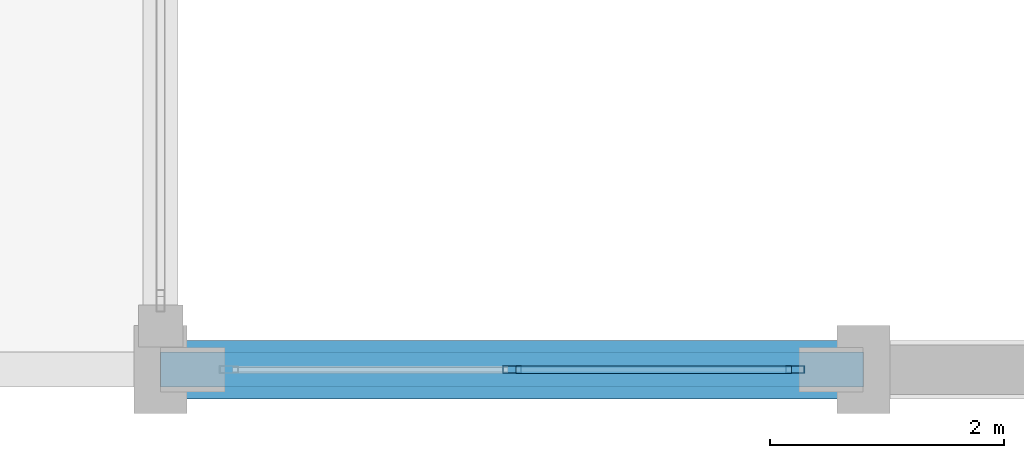
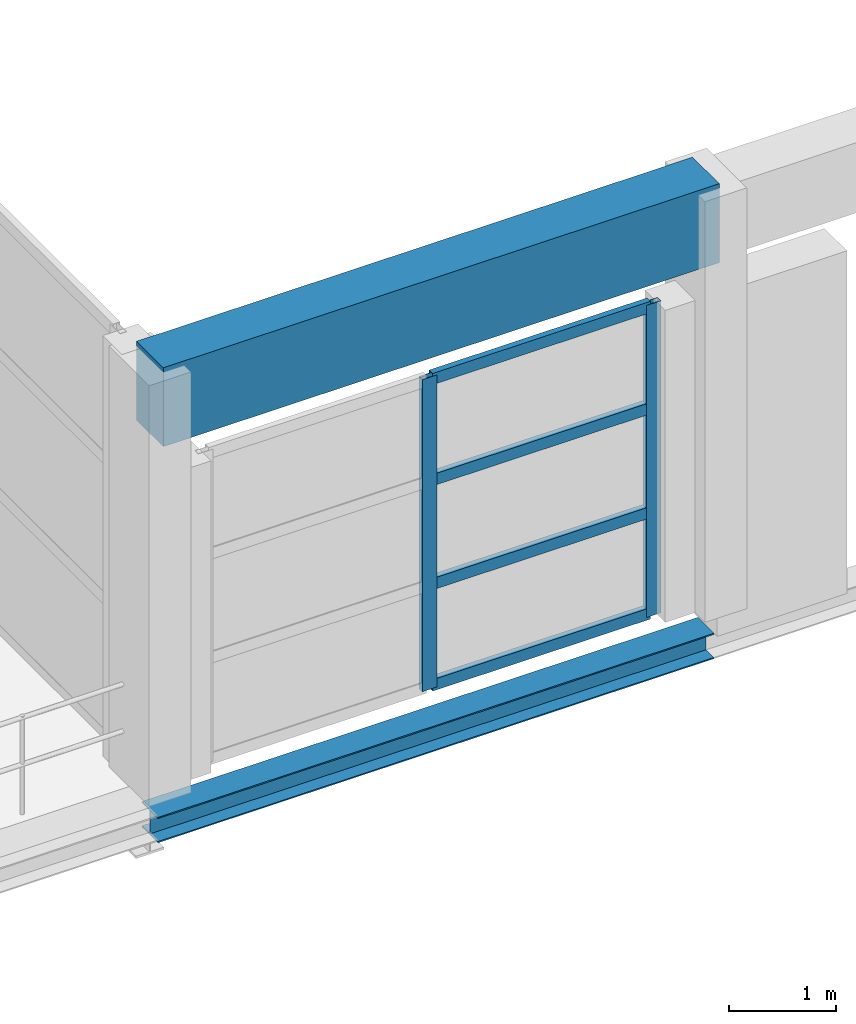
# One storey, part 41 of 147: 6 members, 2 beams, 1 element without a shape of its own.
"""IFC4 building model written with IfcOpenShell, lengths in metres."""

from ifc_helpers import new_model, si_unit, direction, frame, origin, origin_2d, place, context, subcontext, project, spatial, rectangle, hollow_rectangle, i_section, extrude, material, layer, layer_set, material_profile, profile_set, type_object, element, aggregate, save


model = new_model("IFC4")

# Units and contexts
model_context = context("Model", 3, precision=1e-05, world=origin(), true_north=direction((0.0, 1.0)))
body_context = subcontext(model_context, "Body", "Model", "MODEL_VIEW")
ifc_project = project(units=[si_unit("LENGTHUNIT", "METRE"), si_unit("AREAUNIT", "SQUARE_METRE"), si_unit("VOLUMEUNIT", "CUBIC_METRE"), si_unit("PLANEANGLEUNIT", "RADIAN"), si_unit("MASSUNIT", "GRAM", prefix="KILO")], contexts=[model_context])

# Site, building, storey
site_placement = place(None, origin())
site = spatial("IfcSite", under=ifc_project, at=site_placement, CompositionType="ELEMENT")
building_placement = place(site_placement, origin())
building = spatial("IfcBuilding", under=site, at=building_placement, Name="Zilviju Railside Exhibition Hall", CompositionType="ELEMENT")
storey_placement = place(building_placement, frame((0.0, 0.0, 8.39990234375)))
storey = spatial("IfcBuildingStorey", under=building, at=storey_placement, Name="L03", CompositionType="ELEMENT", Elevation=8.39990234375)

# Beams
ifc_material_1 = material(Name="Steel S355J2", Category="steel")
ifc_material_profile_1 = material_profile(ifc_material_1, i_section(OverallWidth=0.300048828125, OverallDepth=0.2900390625, WebThickness=0.008544921875, FlangeThickness=0.013916015625, at=origin_2d()), Name="HEA 300")
ifc_profile_set_1 = profile_set([ifc_material_profile_1], Name="Steel S355J2")
beam_type_1 = type_object("IfcBeamType", Name="BM-HEA300", PredefinedType="SPANDREL", material=ifc_profile_set_1)
beam_1_placement = place(storey_placement, frame((78.0, 0.0, -0.48486328125), z_axis=(1.0, 0.0, 0.0), x_axis=(0.0, 1.0, 0.0)))
element("IfcBeam", 1, at=beam_1_placement, inside=storey, type_object=beam_type_1, Name="Primary Girder L03 Y=0.0 (78.0..84.0)", PredefinedType="SPANDREL", context=body_context, shape_type="SweptSolid", body=[
    extrude(i_section(OverallWidth=0.300048828125, OverallDepth=0.2900390625, WebThickness=0.008544921875, FlangeThickness=0.013916015625, at=origin_2d()), origin(), (0.0, 0.0, 1.0), 6.0),
])
ifc_material_2 = material(Name="Concrete C40/50", Category="concrete")
ifc_material_profile_2 = material_profile(ifc_material_2, rectangle(XDim=0.5, YDim=0.89990234375, at=origin_2d()), Name="RC BEAM 500x900")
ifc_profile_set_2 = profile_set([ifc_material_profile_2], Name="Concrete C40/50")
beam_type_2 = type_object("IfcBeamType", Name="BM-RC-500x900", PredefinedType="BEAM", material=ifc_profile_set_2)
beam_2_placement = place(storey_placement, frame((78.0, 0.0, 4.400146484375), z_axis=(1.0, 0.0, 0.0), x_axis=(0.0, 1.0, 0.0)))
element("IfcBeam", 2, at=beam_2_placement, inside=storey, type_object=beam_type_2, Name="Eave & Portal Spandrel Lintel 002", PredefinedType="BEAM", context=body_context, shape_type="SweptSolid", body=[
    extrude(rectangle(XDim=0.5, YDim=0.89990234375, at=origin_2d()), origin(), (0.0, 0.0, 1.0), 6.0),
])

# Curtain wall, members
ifc_material_3 = material(Name="Thermally broken aluminium-steel triple-glazed curtain wall", Category="steel")
ifc_layer = layer(ifc_material_3, 0.179931640625)
ifc_layer_set = layer_set([ifc_layer], Name="Thermally broken aluminium-steel triple-glazed curtain wall")
curtain_wall_type = type_object("IfcCurtainWallType", Name="CW-BAY-12", PredefinedType="USERDEFINED", material=ifc_layer_set)
curtain_wall_placement = place(storey_placement, origin())
curtain_wall = element("IfcCurtainWall", 3, at=curtain_wall_placement, inside=storey, type_object=curtain_wall_type, Name="South Hall Facade Curtain Wall L03 (78..84)", ObjectType="GLAZED CURTAIN WALL", PredefinedType="USERDEFINED")
ifc_material_4 = material(Name="Thermally broken anodized aluminium mullion", Category="aluminium")
ifc_material_profile_3 = material_profile(ifc_material_4, hollow_rectangle(XDim=0.06494140625, YDim=0.159912109375, WallThickness=0.0048828125, at=origin_2d()), Name="MULLION 160x65x5")
ifc_profile_set_3 = profile_set([ifc_material_profile_3], Name="Thermally broken anodized aluminium mullion")
member_type_1 = type_object("IfcMemberType", Name="CWM-65x160", PredefinedType="MULLION", material=ifc_profile_set_3)
member_1_placement = place(storey_placement, frame((83.41748046875, 0.0, 0.0), z_axis=(0.0, 0.0, 1.0), x_axis=(0.0, -1.0, 0.0)))
member_1 = element("IfcMember", 4, at=member_1_placement, type_object=member_type_1, Name="CW-12 mullion 1", PredefinedType="MULLION", context=body_context, shape_type="SweptSolid", body=[
    extrude(hollow_rectangle(XDim=0.06494140625, YDim=0.159912109375, WallThickness=0.0048828125, at=origin_2d()), origin(), (0.0, 0.0, 1.0), 3.56005859375),
])
member_2_placement = place(storey_placement, frame((81.0, 0.0, 0.0), z_axis=(0.0, 0.0, 1.0), x_axis=(0.0, -1.0, 0.0)))
member_2 = element("IfcMember", 5, at=member_2_placement, type_object=member_type_1, Name="CW-12 mullion 2", PredefinedType="MULLION", context=body_context, shape_type="SweptSolid", body=[
    extrude(hollow_rectangle(XDim=0.06494140625, YDim=0.159912109375, WallThickness=0.0048828125, at=origin_2d()), origin(), (0.0, 0.0, 1.0), 3.56005859375),
])
ifc_material_5 = material(Name="Thermally broken anodized aluminium transom", Category="aluminium")
ifc_material_profile_4 = material_profile(ifc_material_5, hollow_rectangle(XDim=0.06494140625, YDim=0.1298828125, WallThickness=0.0048828125, at=origin_2d()), Name="TRANSOM 130x65x5")
ifc_profile_set_4 = profile_set([ifc_material_profile_4], Name="Thermally broken anodized aluminium transom")
member_type_2 = type_object("IfcMemberType", Name="CWT-65x130", PredefinedType="USERDEFINED", material=ifc_profile_set_4)
member_3_placement = place(storey_placement, frame((83.385009765625, 0.0, 0.03271484375), z_axis=(-1.0, 0.0, 0.0), x_axis=(0.0, -1.0, 0.0)))
member_3 = element("IfcMember", 6, at=member_3_placement, type_object=member_type_2, Name="CW-12 transom 1.1", ObjectType="TRANSOM", PredefinedType="USERDEFINED", context=body_context, shape_type="SweptSolid", body=[
    extrude(hollow_rectangle(XDim=0.06494140625, YDim=0.1298828125, WallThickness=0.0048828125, at=origin_2d()), origin(), (0.0, 0.0, 1.0), 2.3525390625),
])
member_4_placement = place(storey_placement, frame((83.385009765625, 0.0, 1.18701171875), z_axis=(-1.0, 0.0, 0.0), x_axis=(0.0, -1.0, 0.0)))
member_4 = element("IfcMember", 7, at=member_4_placement, type_object=member_type_2, Name="CW-12 transom 1.2", ObjectType="TRANSOM", PredefinedType="USERDEFINED", context=body_context, shape_type="SweptSolid", body=[
    extrude(hollow_rectangle(XDim=0.06494140625, YDim=0.1298828125, WallThickness=0.0048828125, at=origin_2d()), origin(), (0.0, 0.0, 1.0), 2.3525390625),
])
member_5_placement = place(storey_placement, frame((83.385009765625, 0.0, 2.373046875), z_axis=(-1.0, 0.0, 0.0), x_axis=(0.0, -1.0, 0.0)))
member_5 = element("IfcMember", 8, at=member_5_placement, type_object=member_type_2, Name="CW-12 transom 1.3", ObjectType="TRANSOM", PredefinedType="USERDEFINED", context=body_context, shape_type="SweptSolid", body=[
    extrude(hollow_rectangle(XDim=0.06494140625, YDim=0.1298828125, WallThickness=0.0048828125, at=origin_2d()), origin(), (0.0, 0.0, 1.0), 2.3525390625),
])
member_6_placement = place(storey_placement, frame((83.385009765625, 0.0, 3.527587890625), z_axis=(-1.0, 0.0, 0.0), x_axis=(0.0, -1.0, 0.0)))
member_6 = element("IfcMember", 9, at=member_6_placement, type_object=member_type_2, Name="CW-12 transom 1.4", ObjectType="TRANSOM", PredefinedType="USERDEFINED", context=body_context, shape_type="SweptSolid", body=[
    extrude(hollow_rectangle(XDim=0.06494140625, YDim=0.1298828125, WallThickness=0.0048828125, at=origin_2d()), origin(), (0.0, 0.0, 1.0), 2.3525390625),
])
aggregate(curtain_wall, [member_1, member_2, member_3, member_4, member_5, member_6])

save(model, "model.ifc")
